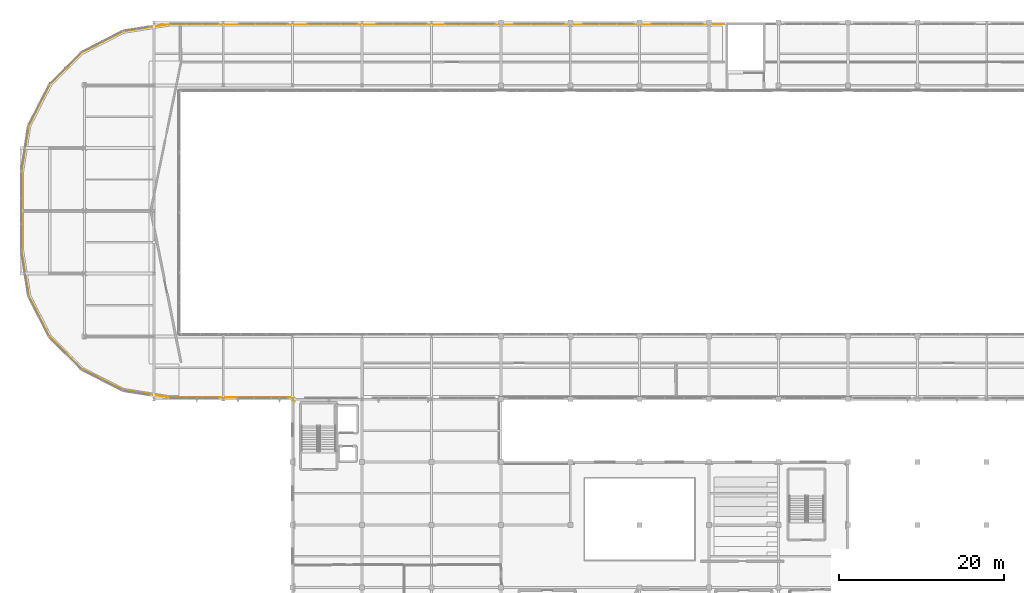
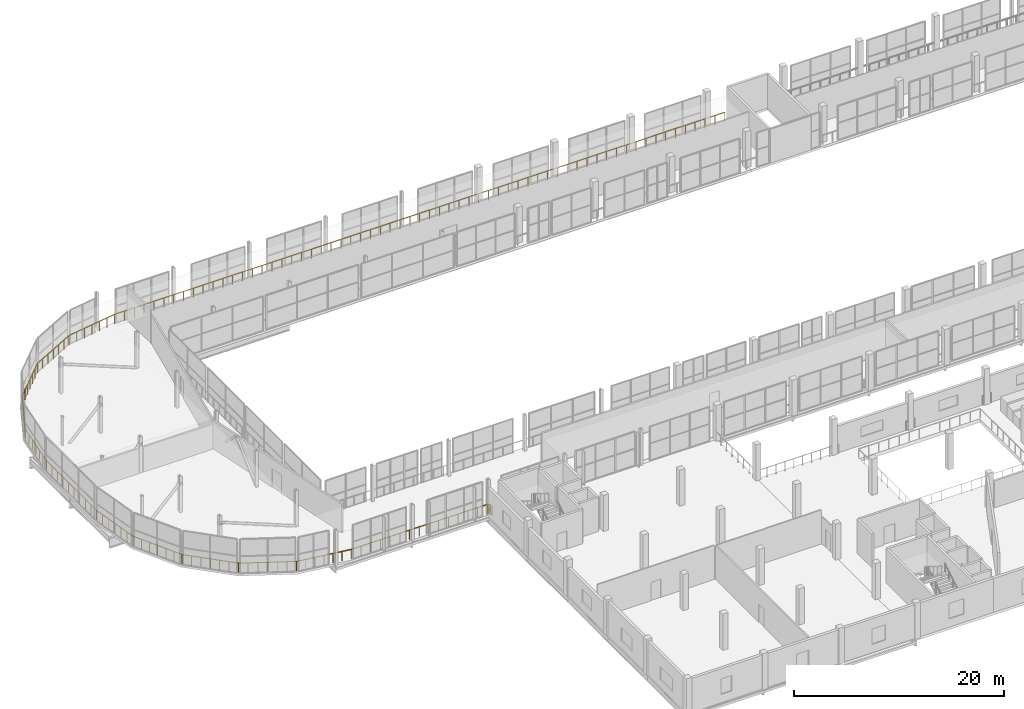
# One storey, part 141 of 151: 1 railing.
"""IFC4 building model written with IfcOpenShell, lengths in metres."""

import ifcopenshell
import ifcopenshell.guid

model = None  # the IFC model being written
_history = None  # IfcOwnerHistory: only IFC2X3 demands one
_inside = {}  # id of a spatial element -> (the spatial element, [elements in it])
_under = {}  # id of a project, library or spatial element -> (it, [spatial elements below it])
_declared = {}  # id of a project -> (the project, [libraries it declares])
_typed = {}  # id of a type object -> (the type object, [elements of that type])
_made_of = {}  # id of a material, layer set ... -> (it, [elements and type objects made of it])


def new_model(schema):
    """Start an empty IFC model of exactly this schema.

    Asked for "IFC4X3", IfcOpenShell would pick the latest addendum, in which some entities
    have other attributes; the version numbers below select the first issue.
    IFC2X3 requires an IfcOwnerHistory on every rooted entity: one is made here for all.
    """
    global model, _history
    if schema == "IFC4X3":
        model = ifcopenshell.file(schema_version=(4, 3, 0, 0))
    else:
        model = ifcopenshell.file(schema=schema)
    _inside.clear()
    _under.clear()
    _declared.clear()
    _typed.clear()
    _made_of.clear()
    _history = None
    if model.schema == "IFC2X3":
        org = make("IfcOrganization", Name="unknown")
        user = make(
            "IfcPersonAndOrganization",
            ThePerson=make("IfcPerson", FamilyName="unknown"),
            TheOrganization=org,
        )
        app = make(
            "IfcApplication",
            ApplicationDeveloper=org,
            Version="unknown",
            ApplicationFullName="unknown",
            ApplicationIdentifier="unknown",
        )
        _history = make(
            "IfcOwnerHistory",
            OwningUser=user,
            OwningApplication=app,
            ChangeAction="ADDED",
            CreationDate=0,
        )
    return model


def make(cls, **values):
    """One entity of the class cls with the attributes given. An attribute that is None is left unset."""
    return model.create_entity(
        cls, **{name: value for name, value in values.items() if value is not None}
    )


def rooted(cls, **values):
    """An entity with a GlobalId (a new one), such as an element, a storey or a relation."""
    return make(cls, GlobalId=ifcopenshell.guid.new(), OwnerHistory=_history, **values)


def si_unit(unit_type, name, prefix=None):
    """IfcSIUnit, for example si_unit("LENGTHUNIT", "METRE", prefix="MILLI")."""
    return make("IfcSIUnit", UnitType=unit_type, Prefix=prefix, Name=name)


def assignment(units):
    """IfcUnitAssignment: the units of a project."""
    return None if units is None else make("IfcUnitAssignment", Units=units)


def point(xyz):
    """IfcCartesianPoint."""
    return None if xyz is None else make("IfcCartesianPoint", Coordinates=xyz)


def direction(xyz):
    """IfcDirection."""
    return None if xyz is None else make("IfcDirection", DirectionRatios=xyz)


def frame(location, z_axis=None, x_axis=None):
    """IfcAxis2Placement3D, a coordinate frame: its origin and axes. An axis left out is left unset."""
    return make(
        "IfcAxis2Placement3D",
        Location=point(location),
        Axis=direction(z_axis),
        RefDirection=direction(x_axis),
    )


def frame_2d(location, x_axis=None):
    """IfcAxis2Placement2D, a coordinate frame in the plane: its origin and x axis."""
    return make(
        "IfcAxis2Placement2D", Location=point(location), RefDirection=direction(x_axis)
    )


def origin():
    """The frame at (0, 0, 0) with its axes left unset."""
    return frame((0.0, 0.0, 0.0))


def origin_2d():
    """The frame at (0, 0) in the plane with its x axis left unset."""
    return frame_2d((0.0, 0.0))


def place(relative_to, where):
    """IfcLocalPlacement: puts the frame where relative to a parent placement (None: the world)."""
    return make(
        "IfcLocalPlacement", PlacementRelTo=relative_to, RelativePlacement=where
    )


def context(
    kind, dimensions, precision=None, world=None, true_north=None, identifier=None
):
    """IfcGeometricRepresentationContext, for example the 3D "Model" context."""
    return make(
        "IfcGeometricRepresentationContext",
        ContextIdentifier=identifier,
        ContextType=kind,
        CoordinateSpaceDimension=dimensions,
        Precision=precision,
        WorldCoordinateSystem=world,
        TrueNorth=true_north,
    )


def subcontext(parent, identifier, kind, view, scale=None):
    """IfcGeometricRepresentationSubContext, for example "Body" below "Model"."""
    return make(
        "IfcGeometricRepresentationSubContext",
        ContextIdentifier=identifier,
        ContextType=kind,
        ParentContext=parent,
        TargetScale=scale,
        TargetView=view,
    )


def project(units=None, contexts=None):
    """IfcProject with its units and contexts."""
    return rooted(
        "IfcProject",
        Name="project",
        RepresentationContexts=contexts,
        UnitsInContext=assignment(units),
    )


def spatial(cls, under=None, at=None, **own):
    """A site, building, storey or space (cls), placed at a placement, below another one or the project."""
    s = rooted(cls, ObjectPlacement=at, **own)
    if under is not None:
        _under.setdefault(under.id(), (under, []))[1].append(s)
    return s


def profile(cls, at=None, kind="AREA", **sizes):
    """A parametric profile (cls). Its sizes go by their IFC names, for example OverallWidth=200.0."""
    return make(cls, ProfileType=kind, Position=at, **sizes)


def circle(**sizes):
    """IfcCircleProfileDef."""
    return profile("IfcCircleProfileDef", **sizes)


def extrude(swept, where, along, depth):
    """IfcExtrudedAreaSolid: the profile swept, set in the frame where, extruded along a direction by depth."""
    return make(
        "IfcExtrudedAreaSolid",
        SweptArea=swept,
        Position=where,
        ExtrudedDirection=direction(along),
        Depth=depth,
    )


def shape(context_of_items, identifier, shape_type, items):
    """IfcShapeRepresentation: the items that make up one representation, for example the "Body"."""
    return make(
        "IfcShapeRepresentation",
        ContextOfItems=context_of_items,
        RepresentationIdentifier=identifier,
        RepresentationType=shape_type,
        Items=items,
    )


def material(Name=None, Category=None):
    """IfcMaterial."""
    return make("IfcMaterial", Name=Name, Category=Category)


def made_of(thing, what):
    """Note that an element or type object is made of a material, layer set ...; save() writes the relation."""
    if what is not None:
        _made_of.setdefault(what.id(), (what, []))[1].append(thing)
    return thing


def type_object(cls, material=None, **own):
    """A type object (cls), such as IfcWallType, which elements share."""
    return made_of(rooted(cls, **own), material)


def element(
    cls,
    number,
    at=None,
    inside=None,
    cuts=None,
    type_object=None,
    material=None,
    context=None,
    identifier="Body",
    shape_type=None,
    held_by="IfcProductDefinitionShape",
    body=None,
    shapes=None,
    **own,
):
    """One element of the class cls, such as IfcWall. Its Tag is "e" and its number.

    at: its placement. inside: the storey or other place that contains it. cuts: it is an
    opening in that element (IfcRelVoidsElement). A single representation is given by context,
    identifier, shape_type and body (its items); several are given by shapes. held_by: the class
    of the entity that holds the representations. save() writes the other relations.
    """
    e = rooted(cls, Tag="e%d" % number, ObjectPlacement=at, **own)
    if body is not None:
        shapes = [shape(context, identifier, shape_type, body)]
    if shapes is not None:
        e.Representation = make(held_by, Representations=shapes)
    if inside is not None:
        _inside.setdefault(inside.id(), (inside, []))[1].append(e)
    if cuts is not None:
        rooted(
            "IfcRelVoidsElement", RelatingBuildingElement=cuts, RelatedOpeningElement=e
        )
    if type_object is not None:
        _typed.setdefault(type_object.id(), (type_object, []))[1].append(e)
    return made_of(e, material)


def aggregate(whole, parts):
    """IfcRelAggregates: a whole, such as a stair, and the parts it consists of."""
    return rooted("IfcRelAggregates", RelatingObject=whole, RelatedObjects=parts)


def save(model, path):
    """Write the relations noted so far, then the file.

    IfcRelAggregates (storeys below a building ...), IfcRelContainedInSpatialStructure (elements
    in a storey), IfcRelDefinesByType, IfcRelAssociatesMaterial and IfcRelDeclares: one each for
    every whole, place, type object, material and project.
    """
    for whole, parts in _under.values():
        aggregate(whole, parts)
    for where, things in _inside.values():
        rooted(
            "IfcRelContainedInSpatialStructure",
            RelatedElements=things,
            RelatingStructure=where,
        )
    for kind, things in _typed.values():
        rooted("IfcRelDefinesByType", RelatedObjects=things, RelatingType=kind)
    for what, things in _made_of.values():
        rooted("IfcRelAssociatesMaterial", RelatedObjects=things, RelatingMaterial=what)
    for by, libraries in _declared.values():
        rooted("IfcRelDeclares", RelatingContext=by, RelatedDefinitions=libraries)
    model.write(path)


model = new_model("IFC4")

# Units and contexts
model_context = context("Model", 3, precision=1e-05, world=origin(), true_north=direction((0.0, 1.0)))
body_context = subcontext(model_context, "Body", "Model", "MODEL_VIEW")
ifc_project = project(units=[si_unit("LENGTHUNIT", "METRE"), si_unit("AREAUNIT", "SQUARE_METRE"), si_unit("VOLUMEUNIT", "CUBIC_METRE"), si_unit("PLANEANGLEUNIT", "RADIAN"), si_unit("MASSUNIT", "GRAM", prefix="KILO")], contexts=[model_context])

# Site, building, storey
site_placement = place(None, origin())
site = spatial("IfcSite", under=ifc_project, at=site_placement, CompositionType="ELEMENT")
building_placement = place(site_placement, origin())
building = spatial("IfcBuilding", under=site, at=building_placement, Name="Zuvorla Pavilion Media Centre", CompositionType="ELEMENT")
storey_placement = place(building_placement, frame((0.0, 0.0, 13.800048828125)))
storey = spatial("IfcBuildingStorey", under=building, at=storey_placement, Name="L03", CompositionType="ELEMENT", Elevation=13.800048828125)

# Railing
ifc_material = material(Name="Powder-coated steel balustrade guard", Category="steel")
railing_type = type_object("IfcRailingType", Name="RL-INT-GRD", PredefinedType="BALUSTRADE", material=ifc_material)
railing_placement = place(storey_placement, frame((41.820068359375, 43.69970703125, 0.0)))
element("IfcRailing", 1, at=railing_placement, inside=storey, type_object=railing_type, Name="L03 slab edge guard 112", PredefinedType="BALUSTRADE", context=body_context, shape_type="SweptSolid", body=[
    extrude(circle(Radius=0.02392578125, at=origin_2d()), frame((0.0, 0.02880859375, 1.09619140625), z_axis=(0.0, 1.0, 0.0), x_axis=(-1.0, 0.0, 0.0)), (0.0, 0.0, 1.0), 0.24267578125),
    extrude(circle(Radius=0.02392578125, at=origin_2d()), frame((-0.000244140625, 0.303466796875, 1.09619140625), z_axis=(-0.056726690049, 0.998389744857, 0.0), x_axis=(-0.998389744857, -0.056726690049, 0.0)), (0.0, 0.0, 1.0), 0.02001953125),
    extrude(circle(Radius=0.02392578125, at=origin_2d()), frame((-0.001708984375, 0.324951171875, 1.09619140625), z_axis=(-0.135113204733, 0.990830168044, 0.0), x_axis=(-0.990830168044, -0.135113204733, 0.0)), (0.0, 0.0, 1.0), 0.02001953125),
    extrude(circle(Radius=0.02392578125, at=origin_2d()), frame((-0.0048828125, 0.346435546875, 1.09619140625), z_axis=(-0.247833249983, 0.968802704478, 0.0), x_axis=(-0.968802704478, -0.247833249983, 0.0)), (0.0, 0.0, 1.0), 0.02001953125),
    extrude(circle(Radius=0.02392578125, at=origin_2d()), frame((-0.0107421875, 0.3671875, 1.09619140625), z_axis=(-0.339922884022, 0.940453312461, 0.0), x_axis=(-0.940453312461, -0.339922884022, 0.0)), (0.0, 0.0, 1.0), 0.02001953125),
    extrude(circle(Radius=0.02392578125, at=origin_2d()), frame((-0.018310546875, 0.387451171875, 1.09619140625), z_axis=(-0.429056814568, 0.903277504354, 0.0), x_axis=(-0.903277504354, -0.429056814568, 0.0)), (0.0, 0.0, 1.0), 0.02001953125),
    extrude(circle(Radius=0.02392578125, at=origin_2d()), frame((-0.02783203125, 0.40673828125, 1.09619140625), z_axis=(-0.509492006668, 0.860475389039, 0.0), x_axis=(-0.860475389039, -0.509492006668, 0.0)), (0.0, 0.0, 1.0), 0.02001953125),
    extrude(circle(Radius=0.02392578125, at=origin_2d()), frame((-0.0390625, 0.42529296875, 1.09619140625), z_axis=(-0.598192606862, 0.801352360136, 0.0), x_axis=(-0.801352360136, -0.598192606862, 0.0)), (0.0, 0.0, 1.0), 0.02001953125),
    extrude(circle(Radius=0.02392578125, at=origin_2d()), frame((-0.05224609375, 0.4423828125, 1.09619140625), z_axis=(-0.672105592782, 0.740455314082, 0.0), x_axis=(-0.740455314082, -0.672105592782, 0.0)), (0.0, 0.0, 1.0), 0.02001953125),
    extrude(circle(Radius=0.02392578125, at=origin_2d()), frame((-0.06689453125, 0.4580078125, 1.09619140625), z_axis=(-0.739940073396, 0.672672793996, 0.0), x_axis=(-0.672672793996, -0.739940073396, 0.0)), (0.0, 0.0, 1.0), 0.02001953125),
    extrude(circle(Radius=0.02392578125, at=origin_2d()), frame((-0.083251953125, 0.472412109375, 1.09619140625), z_axis=(-0.806766093747, 0.590870941899, 0.0), x_axis=(-0.590870941899, -0.806766093747, 0.0)), (0.0, 0.0, 1.0), 0.02001953125),
    extrude(circle(Radius=0.02392578125, at=origin_2d()), frame((-0.1005859375, 0.48486328125, 1.09619140625), z_axis=(-0.855500079018, 0.517802679406, 0.0), x_axis=(-0.517802679406, -0.855500079018, 0.0)), (0.0, 0.0, 1.0), 0.02001953125),
    extrude(circle(Radius=0.02392578125, at=origin_2d()), frame((-0.119384765625, 0.495849609375, 1.09619140625), z_axis=(-0.903277504354, 0.429056814568, 0.0), x_axis=(-0.429056814568, -0.903277504354, 0.0)), (0.0, 0.0, 1.0), 0.02001953125),
    extrude(circle(Radius=0.02392578125, at=origin_2d()), frame((-0.138916015625, 0.504638671875, 1.09619140625), z_axis=(-0.94403554212, 0.329843743632, 0.0), x_axis=(-0.329843743632, -0.94403554212, 0.0)), (0.0, 0.0, 1.0), 0.02001953125),
    extrude(circle(Radius=0.02392578125, at=origin_2d()), frame((-0.159423828125, 0.511474609375, 1.09619140625), z_axis=(-0.968802704478, 0.247833249983, 0.0), x_axis=(-0.247833249983, -0.968802704478, 0.0)), (0.0, 0.0, 1.0), 0.02001953125),
    extrude(circle(Radius=0.02392578125, at=origin_2d()), frame((-0.180419921875, 0.5166015625, 1.09619140625), z_axis=(-0.989019580795, 0.147784535061, 0.0), x_axis=(-0.147784535061, -0.989019580795, 0.0)), (0.0, 0.0, 1.0), 0.02001953125),
    extrude(circle(Radius=0.02392578125, at=origin_2d()), frame((-0.20166015625, 0.51953125, 1.09619140625), z_axis=(-0.99896854021, 0.045407660919, 0.0), x_axis=(-0.045407660919, -0.99896854021, 0.0)), (0.0, 0.0, 1.0), 0.02001953125),
    extrude(circle(Radius=0.02392578125, at=origin_2d()), frame((-0.248779296875, 0.520263671875, 1.09619140625), z_axis=(-1.0, 0.0, 0.0), x_axis=(0.0, -1.0, 0.0)), (0.0, 0.0, 1.0), 14.92529296875),
    extrude(circle(Radius=0.02392578125, at=origin_2d()), frame((-15.2314453125, 0.524658203125, 1.09619140625), z_axis=(-0.987688702887, 0.156432177602, 0.0), x_axis=(-0.156432177602, -0.987688702887, 0.0)), (0.0, 0.0, 1.0), 5.521728515625),
    extrude(circle(Radius=0.02392578125, at=origin_2d()), frame((-20.7392578125, 1.40625, 1.09619140625), z_axis=(-0.890994939299, 0.454013235647, 0.0), x_axis=(-0.454013235647, -0.890994939299, 0.0)), (0.0, 0.0, 1.0), 5.504150390625),
    extrude(circle(Radius=0.02392578125, at=origin_2d()), frame((-25.689697265625, 3.938720703125, 1.09619140625), z_axis=(-0.707106781187, 0.707106781187, 0.0), x_axis=(-0.707106781187, -0.707106781187, 0.0)), (0.0, 0.0, 1.0), 5.504150390625),
    extrude(circle(Radius=0.02392578125, at=origin_2d()), frame((-29.615234375, 7.876708984375, 1.09619140625), z_axis=(-0.453995479409, 0.891003986902, 0.0), x_axis=(-0.891003986902, -0.453995479409, 0.0)), (0.0, 0.0, 1.0), 5.50439453125),
    extrude(circle(Radius=0.02392578125, at=origin_2d()), frame((-32.131591796875, 12.83544921875, 1.09619140625), z_axis=(-0.156432177602, 0.987688702887, 0.0), x_axis=(-0.987688702887, -0.156432177602, 0.0)), (0.0, 0.0, 1.0), 5.521728515625),
    extrude(circle(Radius=0.02392578125, at=origin_2d()), frame((-33.0, 18.346435546875, 1.09619140625), z_axis=(0.0, 1.0, 0.0), x_axis=(-1.0, 0.0, 0.0)), (0.0, 0.0, 1.0), 9.5078125),
    extrude(circle(Radius=0.02392578125, at=origin_2d()), frame((-32.99560546875, 27.91162109375, 1.09619140625), z_axis=(0.156432177602, 0.987688702887, 0.0), x_axis=(-0.987688702887, 0.156432177602, 0.0)), (0.0, 0.0, 1.0), 5.521728515625),
    extrude(circle(Radius=0.02392578125, at=origin_2d()), frame((-32.114013671875, 33.41943359375, 1.09619140625), z_axis=(0.453995479409, 0.891003986902, 0.0), x_axis=(-0.891003986902, 0.453995479409, 0.0)), (0.0, 0.0, 1.0), 5.50439453125),
    extrude(circle(Radius=0.02392578125, at=origin_2d()), frame((-29.58154296875, 38.3701171875, 1.09619140625), z_axis=(0.707106781187, 0.707106781187, 0.0), x_axis=(-0.707106781187, 0.707106781187, 0.0)), (0.0, 0.0, 1.0), 5.504150390625),
    extrude(circle(Radius=0.02392578125, at=origin_2d()), frame((-25.6435546875, 42.295654296875, 1.09619140625), z_axis=(0.891012695814, 0.453978387039, 0.0), x_axis=(-0.453978387039, 0.891012695814, 0.0)), (0.0, 0.0, 1.0), 5.50390625),
    extrude(circle(Radius=0.02392578125, at=origin_2d()), frame((-20.68505859375, 44.811767578125, 1.09619140625), z_axis=(0.987688702887, 0.156432177602, 0.0), x_axis=(-0.156432177602, 0.987688702887, 0.0)), (0.0, 0.0, 1.0), 5.521728515625),
    extrude(circle(Radius=0.02392578125, at=origin_2d()), frame((-15.174072265625, 45.68017578125, 1.09619140625), z_axis=(1.0, 0.0, 0.0), x_axis=(0.0, 1.0, 0.0)), (0.0, 0.0, 1.0), 67.165283203125),
    extrude(circle(Radius=0.02099609375, at=origin_2d()), origin(), (0.0, 0.0, 1.0), 1.070068359375),
    extrude(circle(Radius=0.02099609375, at=origin_2d()), frame((0.0, 0.30029296875, 0.0)), (0.0, 0.0, 1.0), 1.070068359375),
    extrude(circle(Radius=0.02099609375, at=origin_2d()), frame((-0.001220703125, 0.32177734375, 0.0)), (0.0, 0.0, 1.0), 1.070068359375),
    extrude(circle(Radius=0.02099609375, at=origin_2d()), frame((-0.004150390625, 0.34326171875, 0.0)), (0.0, 0.0, 1.0), 1.070068359375),
    extrude(circle(Radius=0.02099609375, at=origin_2d()), frame((-0.009521484375, 0.3642578125, 0.0)), (0.0, 0.0, 1.0), 1.070068359375),
    extrude(circle(Radius=0.02099609375, at=origin_2d()), frame((-0.016845703125, 0.384521484375, 0.0)), (0.0, 0.0, 1.0), 1.070068359375),
    extrude(circle(Radius=0.02099609375, at=origin_2d()), frame((-0.026123046875, 0.404052734375, 0.0)), (0.0, 0.0, 1.0), 1.070068359375),
    extrude(circle(Radius=0.02099609375, at=origin_2d()), frame((-0.037109375, 0.422607421875, 0.0)), (0.0, 0.0, 1.0), 1.070068359375),
    extrude(circle(Radius=0.02099609375, at=origin_2d()), frame((-0.050048828125, 0.43994140625, 0.0)), (0.0, 0.0, 1.0), 1.070068359375),
    extrude(circle(Radius=0.02099609375, at=origin_2d()), frame((-0.064453125, 0.455810546875, 0.0)), (0.0, 0.0, 1.0), 1.070068359375),
    extrude(circle(Radius=0.02099609375, at=origin_2d()), frame((-0.08056640625, 0.470458984375, 0.0)), (0.0, 0.0, 1.0), 1.070068359375),
    extrude(circle(Radius=0.02099609375, at=origin_2d()), frame((-0.097900390625, 0.483154296875, 0.0)), (0.0, 0.0, 1.0), 1.070068359375),
    extrude(circle(Radius=0.02099609375, at=origin_2d()), frame((-0.116455078125, 0.494384765625, 0.0)), (0.0, 0.0, 1.0), 1.070068359375),
    extrude(circle(Radius=0.02099609375, at=origin_2d()), frame((-0.135986328125, 0.503662109375, 0.0)), (0.0, 0.0, 1.0), 1.070068359375),
    extrude(circle(Radius=0.02099609375, at=origin_2d()), frame((-0.15625, 0.5107421875, 0.0)), (0.0, 0.0, 1.0), 1.070068359375),
    extrude(circle(Radius=0.02099609375, at=origin_2d()), frame((-0.17724609375, 0.51611328125, 0.0)), (0.0, 0.0, 1.0), 1.070068359375),
    extrude(circle(Radius=0.02099609375, at=origin_2d()), frame((-0.198486328125, 0.519287109375, 0.0)), (0.0, 0.0, 1.0), 1.070068359375),
    extrude(circle(Radius=0.02099609375, at=origin_2d()), frame((-0.219970703125, 0.520263671875, 0.0)), (0.0, 0.0, 1.0), 1.070068359375),
    extrude(circle(Radius=0.02099609375, at=origin_2d()), frame((-1.290283203125, 0.520263671875, 0.0)), (0.0, 0.0, 1.0), 1.070068359375),
    extrude(circle(Radius=0.02099609375, at=origin_2d()), frame((-2.3603515625, 0.520263671875, 0.0)), (0.0, 0.0, 1.0), 1.070068359375),
    extrude(circle(Radius=0.02099609375, at=origin_2d()), frame((-3.4306640625, 0.520263671875, 0.0)), (0.0, 0.0, 1.0), 1.070068359375),
    extrude(circle(Radius=0.02099609375, at=origin_2d()), frame((-4.500732421875, 0.520263671875, 0.0)), (0.0, 0.0, 1.0), 1.070068359375),
    extrude(circle(Radius=0.02099609375, at=origin_2d()), frame((-5.571044921875, 0.520263671875, 0.0)), (0.0, 0.0, 1.0), 1.070068359375),
    extrude(circle(Radius=0.02099609375, at=origin_2d()), frame((-6.64111328125, 0.520263671875, 0.0)), (0.0, 0.0, 1.0), 1.070068359375),
    extrude(circle(Radius=0.02099609375, at=origin_2d()), frame((-7.71142578125, 0.520263671875, 0.0)), (0.0, 0.0, 1.0), 1.070068359375),
    extrude(circle(Radius=0.02099609375, at=origin_2d()), frame((-8.78173828125, 0.520263671875, 0.0)), (0.0, 0.0, 1.0), 1.070068359375),
    extrude(circle(Radius=0.02099609375, at=origin_2d()), frame((-9.851806640625, 0.520263671875, 0.0)), (0.0, 0.0, 1.0), 1.070068359375),
    extrude(circle(Radius=0.02099609375, at=origin_2d()), frame((-10.922119140625, 0.520263671875, 0.0)), (0.0, 0.0, 1.0), 1.070068359375),
    extrude(circle(Radius=0.02099609375, at=origin_2d()), frame((-11.9921875, 0.520263671875, 0.0)), (0.0, 0.0, 1.0), 1.070068359375),
    extrude(circle(Radius=0.02099609375, at=origin_2d()), frame((-13.0625, 0.520263671875, 0.0)), (0.0, 0.0, 1.0), 1.070068359375),
    extrude(circle(Radius=0.02099609375, at=origin_2d()), frame((-14.132568359375, 0.520263671875, 0.0)), (0.0, 0.0, 1.0), 1.070068359375),
    extrude(circle(Radius=0.02099609375, at=origin_2d()), frame((-15.202880859375, 0.520263671875, 0.0)), (0.0, 0.0, 1.0), 1.070068359375),
    extrude(circle(Radius=0.02099609375, at=origin_2d()), frame((-16.121337890625, 0.665771484375, 0.0)), (0.0, 0.0, 1.0), 1.070068359375),
    extrude(circle(Radius=0.02099609375, at=origin_2d()), frame((-17.039794921875, 0.811279296875, 0.0)), (0.0, 0.0, 1.0), 1.070068359375),
    extrude(circle(Radius=0.02099609375, at=origin_2d()), frame((-17.958251953125, 0.95654296875, 0.0)), (0.0, 0.0, 1.0), 1.070068359375),
    extrude(circle(Radius=0.02099609375, at=origin_2d()), frame((-18.876708984375, 1.10205078125, 0.0)), (0.0, 0.0, 1.0), 1.070068359375),
    extrude(circle(Radius=0.02099609375, at=origin_2d()), frame((-19.795166015625, 1.24755859375, 0.0)), (0.0, 0.0, 1.0), 1.070068359375),
    extrude(circle(Radius=0.02099609375, at=origin_2d()), frame((-20.713623046875, 1.39306640625, 0.0)), (0.0, 0.0, 1.0), 1.070068359375),
    extrude(circle(Radius=0.02099609375, at=origin_2d()), frame((-21.53955078125, 1.81396484375, 0.0)), (0.0, 0.0, 1.0), 1.070068359375),
    extrude(circle(Radius=0.02099609375, at=origin_2d()), frame((-22.365478515625, 2.23486328125, 0.0)), (0.0, 0.0, 1.0), 1.070068359375),
    extrude(circle(Radius=0.02099609375, at=origin_2d()), frame((-23.19140625, 2.65576171875, 0.0)), (0.0, 0.0, 1.0), 1.070068359375),
    extrude(circle(Radius=0.02099609375, at=origin_2d()), frame((-24.017333984375, 3.076416015625, 0.0)), (0.0, 0.0, 1.0), 1.070068359375),
    extrude(circle(Radius=0.02099609375, at=origin_2d()), frame((-24.84326171875, 3.497314453125, 0.0)), (0.0, 0.0, 1.0), 1.070068359375),
    extrude(circle(Radius=0.02099609375, at=origin_2d()), frame((-25.669189453125, 3.918212890625, 0.0)), (0.0, 0.0, 1.0), 1.070068359375),
    extrude(circle(Radius=0.02099609375, at=origin_2d()), frame((-26.32470703125, 4.57373046875, 0.0)), (0.0, 0.0, 1.0), 1.070068359375),
    extrude(circle(Radius=0.02099609375, at=origin_2d()), frame((-26.980224609375, 5.229248046875, 0.0)), (0.0, 0.0, 1.0), 1.070068359375),
    extrude(circle(Radius=0.02099609375, at=origin_2d()), frame((-27.6357421875, 5.884765625, 0.0)), (0.0, 0.0, 1.0), 1.070068359375),
    extrude(circle(Radius=0.02099609375, at=origin_2d()), frame((-28.291015625, 6.5400390625, 0.0)), (0.0, 0.0, 1.0), 1.070068359375),
    extrude(circle(Radius=0.02099609375, at=origin_2d()), frame((-28.946533203125, 7.195556640625, 0.0)), (0.0, 0.0, 1.0), 1.070068359375),
    extrude(circle(Radius=0.02099609375, at=origin_2d()), frame((-29.60205078125, 7.85107421875, 0.0)), (0.0, 0.0, 1.0), 1.070068359375),
    extrude(circle(Radius=0.02099609375, at=origin_2d()), frame((-30.02294921875, 8.677001953125, 0.0)), (0.0, 0.0, 1.0), 1.070068359375),
    extrude(circle(Radius=0.02099609375, at=origin_2d()), frame((-30.44384765625, 9.5029296875, 0.0)), (0.0, 0.0, 1.0), 1.070068359375),
    extrude(circle(Radius=0.02099609375, at=origin_2d()), frame((-30.86474609375, 10.3291015625, 0.0)), (0.0, 0.0, 1.0), 1.070068359375),
    extrude(circle(Radius=0.02099609375, at=origin_2d()), frame((-31.285400390625, 11.155029296875, 0.0)), (0.0, 0.0, 1.0), 1.070068359375),
    extrude(circle(Radius=0.02099609375, at=origin_2d()), frame((-31.706298828125, 11.98095703125, 0.0)), (0.0, 0.0, 1.0), 1.070068359375),
    extrude(circle(Radius=0.02099609375, at=origin_2d()), frame((-32.127197265625, 12.806884765625, 0.0)), (0.0, 0.0, 1.0), 1.070068359375),
    extrude(circle(Radius=0.02099609375, at=origin_2d()), frame((-32.272705078125, 13.725341796875, 0.0)), (0.0, 0.0, 1.0), 1.070068359375),
    extrude(circle(Radius=0.02099609375, at=origin_2d()), frame((-32.418212890625, 14.643798828125, 0.0)), (0.0, 0.0, 1.0), 1.070068359375),
    extrude(circle(Radius=0.02099609375, at=origin_2d()), frame((-32.5634765625, 15.562255859375, 0.0)), (0.0, 0.0, 1.0), 1.070068359375),
    extrude(circle(Radius=0.02099609375, at=origin_2d()), frame((-32.708984375, 16.480712890625, 0.0)), (0.0, 0.0, 1.0), 1.070068359375),
    extrude(circle(Radius=0.02099609375, at=origin_2d()), frame((-32.8544921875, 17.399169921875, 0.0)), (0.0, 0.0, 1.0), 1.070068359375),
    extrude(circle(Radius=0.02099609375, at=origin_2d()), frame((-33.0, 18.317626953125, 0.0)), (0.0, 0.0, 1.0), 1.070068359375),
    extrude(circle(Radius=0.02099609375, at=origin_2d()), frame((-33.0, 19.38037109375, 0.0)), (0.0, 0.0, 1.0), 1.070068359375),
    extrude(circle(Radius=0.02099609375, at=origin_2d()), frame((-33.0, 20.443359375, 0.0)), (0.0, 0.0, 1.0), 1.070068359375),
    extrude(circle(Radius=0.02099609375, at=origin_2d()), frame((-33.0, 21.506103515625, 0.0)), (0.0, 0.0, 1.0), 1.070068359375),
    extrude(circle(Radius=0.02099609375, at=origin_2d()), frame((-33.0, 22.56884765625, 0.0)), (0.0, 0.0, 1.0), 1.070068359375),
    extrude(circle(Radius=0.02099609375, at=origin_2d()), frame((-33.0, 23.6318359375, 0.0)), (0.0, 0.0, 1.0), 1.070068359375),
    extrude(circle(Radius=0.02099609375, at=origin_2d()), frame((-33.0, 24.694580078125, 0.0)), (0.0, 0.0, 1.0), 1.070068359375),
    extrude(circle(Radius=0.02099609375, at=origin_2d()), frame((-33.0, 25.75732421875, 0.0)), (0.0, 0.0, 1.0), 1.070068359375),
    extrude(circle(Radius=0.02099609375, at=origin_2d()), frame((-33.0, 26.8203125, 0.0)), (0.0, 0.0, 1.0), 1.070068359375),
    extrude(circle(Radius=0.02099609375, at=origin_2d()), frame((-33.0, 27.883056640625, 0.0)), (0.0, 0.0, 1.0), 1.070068359375),
    extrude(circle(Radius=0.02099609375, at=origin_2d()), frame((-32.8544921875, 28.801513671875, 0.0)), (0.0, 0.0, 1.0), 1.070068359375),
    extrude(circle(Radius=0.02099609375, at=origin_2d()), frame((-32.708984375, 29.719970703125, 0.0)), (0.0, 0.0, 1.0), 1.070068359375),
    extrude(circle(Radius=0.02099609375, at=origin_2d()), frame((-32.5634765625, 30.638427734375, 0.0)), (0.0, 0.0, 1.0), 1.070068359375),
    extrude(circle(Radius=0.02099609375, at=origin_2d()), frame((-32.418212890625, 31.556884765625, 0.0)), (0.0, 0.0, 1.0), 1.070068359375),
    extrude(circle(Radius=0.02099609375, at=origin_2d()), frame((-32.272705078125, 32.475341796875, 0.0)), (0.0, 0.0, 1.0), 1.070068359375),
    extrude(circle(Radius=0.02099609375, at=origin_2d()), frame((-32.127197265625, 33.393798828125, 0.0)), (0.0, 0.0, 1.0), 1.070068359375),
    extrude(circle(Radius=0.02099609375, at=origin_2d()), frame((-31.706298828125, 34.2197265625, 0.0)), (0.0, 0.0, 1.0), 1.070068359375),
    extrude(circle(Radius=0.02099609375, at=origin_2d()), frame((-31.285400390625, 35.045654296875, 0.0)), (0.0, 0.0, 1.0), 1.070068359375),
    extrude(circle(Radius=0.02099609375, at=origin_2d()), frame((-30.86474609375, 35.87158203125, 0.0)), (0.0, 0.0, 1.0), 1.070068359375),
    extrude(circle(Radius=0.02099609375, at=origin_2d()), frame((-30.44384765625, 36.69775390625, 0.0)), (0.0, 0.0, 1.0), 1.070068359375),
    extrude(circle(Radius=0.02099609375, at=origin_2d()), frame((-30.02294921875, 37.523681640625, 0.0)), (0.0, 0.0, 1.0), 1.070068359375),
    extrude(circle(Radius=0.02099609375, at=origin_2d()), frame((-29.60205078125, 38.349609375, 0.0)), (0.0, 0.0, 1.0), 1.070068359375),
    extrude(circle(Radius=0.02099609375, at=origin_2d()), frame((-28.946533203125, 39.005126953125, 0.0)), (0.0, 0.0, 1.0), 1.070068359375),
    extrude(circle(Radius=0.02099609375, at=origin_2d()), frame((-28.291015625, 39.66064453125, 0.0)), (0.0, 0.0, 1.0), 1.070068359375),
    extrude(circle(Radius=0.02099609375, at=origin_2d()), frame((-27.6357421875, 40.31591796875, 0.0)), (0.0, 0.0, 1.0), 1.070068359375),
    extrude(circle(Radius=0.02099609375, at=origin_2d()), frame((-26.980224609375, 40.971435546875, 0.0)), (0.0, 0.0, 1.0), 1.070068359375),
    extrude(circle(Radius=0.02099609375, at=origin_2d()), frame((-26.32470703125, 41.626953125, 0.0)), (0.0, 0.0, 1.0), 1.070068359375),
    extrude(circle(Radius=0.02099609375, at=origin_2d()), frame((-25.669189453125, 42.282470703125, 0.0)), (0.0, 0.0, 1.0), 1.070068359375),
    extrude(circle(Radius=0.02099609375, at=origin_2d()), frame((-24.84326171875, 42.703369140625, 0.0)), (0.0, 0.0, 1.0), 1.070068359375),
    extrude(circle(Radius=0.02099609375, at=origin_2d()), frame((-24.017333984375, 43.1240234375, 0.0)), (0.0, 0.0, 1.0), 1.070068359375),
    extrude(circle(Radius=0.02099609375, at=origin_2d()), frame((-23.19140625, 43.544921875, 0.0)), (0.0, 0.0, 1.0), 1.070068359375),
    extrude(circle(Radius=0.02099609375, at=origin_2d()), frame((-22.365478515625, 43.9658203125, 0.0)), (0.0, 0.0, 1.0), 1.070068359375),
    extrude(circle(Radius=0.02099609375, at=origin_2d()), frame((-21.53955078125, 44.386474609375, 0.0)), (0.0, 0.0, 1.0), 1.070068359375),
    extrude(circle(Radius=0.02099609375, at=origin_2d()), frame((-20.713623046875, 44.807373046875, 0.0)), (0.0, 0.0, 1.0), 1.070068359375),
    extrude(circle(Radius=0.02099609375, at=origin_2d()), frame((-19.795166015625, 44.952880859375, 0.0)), (0.0, 0.0, 1.0), 1.070068359375),
    extrude(circle(Radius=0.02099609375, at=origin_2d()), frame((-18.876708984375, 45.098388671875, 0.0)), (0.0, 0.0, 1.0), 1.070068359375),
    extrude(circle(Radius=0.02099609375, at=origin_2d()), frame((-17.958251953125, 45.24365234375, 0.0)), (0.0, 0.0, 1.0), 1.070068359375),
    extrude(circle(Radius=0.02099609375, at=origin_2d()), frame((-17.039794921875, 45.38916015625, 0.0)), (0.0, 0.0, 1.0), 1.070068359375),
    extrude(circle(Radius=0.02099609375, at=origin_2d()), frame((-16.121337890625, 45.53466796875, 0.0)), (0.0, 0.0, 1.0), 1.070068359375),
    extrude(circle(Radius=0.02099609375, at=origin_2d()), frame((-15.202880859375, 45.68017578125, 0.0)), (0.0, 0.0, 1.0), 1.070068359375),
    extrude(circle(Radius=0.02099609375, at=origin_2d()), frame((-14.11865234375, 45.68017578125, 0.0)), (0.0, 0.0, 1.0), 1.070068359375),
    extrude(circle(Radius=0.02099609375, at=origin_2d()), frame((-13.034423828125, 45.68017578125, 0.0)), (0.0, 0.0, 1.0), 1.070068359375),
    extrude(circle(Radius=0.02099609375, at=origin_2d()), frame((-11.9501953125, 45.68017578125, 0.0)), (0.0, 0.0, 1.0), 1.070068359375),
    extrude(circle(Radius=0.02099609375, at=origin_2d()), frame((-10.865966796875, 45.68017578125, 0.0)), (0.0, 0.0, 1.0), 1.070068359375),
    extrude(circle(Radius=0.02099609375, at=origin_2d()), frame((-9.78173828125, 45.68017578125, 0.0)), (0.0, 0.0, 1.0), 1.070068359375),
    extrude(circle(Radius=0.02099609375, at=origin_2d()), frame((-8.697509765625, 45.68017578125, 0.0)), (0.0, 0.0, 1.0), 1.070068359375),
    extrude(circle(Radius=0.02099609375, at=origin_2d()), frame((-7.61328125, 45.68017578125, 0.0)), (0.0, 0.0, 1.0), 1.070068359375),
    extrude(circle(Radius=0.02099609375, at=origin_2d()), frame((-6.529052734375, 45.68017578125, 0.0)), (0.0, 0.0, 1.0), 1.070068359375),
    extrude(circle(Radius=0.02099609375, at=origin_2d()), frame((-5.44482421875, 45.68017578125, 0.0)), (0.0, 0.0, 1.0), 1.070068359375),
    extrude(circle(Radius=0.02099609375, at=origin_2d()), frame((-4.360595703125, 45.68017578125, 0.0)), (0.0, 0.0, 1.0), 1.070068359375),
    extrude(circle(Radius=0.02099609375, at=origin_2d()), frame((-3.276123046875, 45.68017578125, 0.0)), (0.0, 0.0, 1.0), 1.070068359375),
    extrude(circle(Radius=0.02099609375, at=origin_2d()), frame((-2.19189453125, 45.68017578125, 0.0)), (0.0, 0.0, 1.0), 1.070068359375),
    extrude(circle(Radius=0.02099609375, at=origin_2d()), frame((-1.107666015625, 45.68017578125, 0.0)), (0.0, 0.0, 1.0), 1.070068359375),
    extrude(circle(Radius=0.02099609375, at=origin_2d()), frame((-0.0234375, 45.68017578125, 0.0)), (0.0, 0.0, 1.0), 1.070068359375),
    extrude(circle(Radius=0.02099609375, at=origin_2d()), frame((1.060791015625, 45.68017578125, 0.0)), (0.0, 0.0, 1.0), 1.070068359375),
    extrude(circle(Radius=0.02099609375, at=origin_2d()), frame((2.14501953125, 45.68017578125, 0.0)), (0.0, 0.0, 1.0), 1.070068359375),
    extrude(circle(Radius=0.02099609375, at=origin_2d()), frame((3.229248046875, 45.68017578125, 0.0)), (0.0, 0.0, 1.0), 1.070068359375),
    extrude(circle(Radius=0.02099609375, at=origin_2d()), frame((4.3134765625, 45.68017578125, 0.0)), (0.0, 0.0, 1.0), 1.070068359375),
    extrude(circle(Radius=0.02099609375, at=origin_2d()), frame((5.397705078125, 45.68017578125, 0.0)), (0.0, 0.0, 1.0), 1.070068359375),
    extrude(circle(Radius=0.02099609375, at=origin_2d()), frame((6.48193359375, 45.68017578125, 0.0)), (0.0, 0.0, 1.0), 1.070068359375),
    extrude(circle(Radius=0.02099609375, at=origin_2d()), frame((7.566162109375, 45.68017578125, 0.0)), (0.0, 0.0, 1.0), 1.070068359375),
    extrude(circle(Radius=0.02099609375, at=origin_2d()), frame((8.650390625, 45.68017578125, 0.0)), (0.0, 0.0, 1.0), 1.070068359375),
    extrude(circle(Radius=0.02099609375, at=origin_2d()), frame((9.734619140625, 45.68017578125, 0.0)), (0.0, 0.0, 1.0), 1.070068359375),
    extrude(circle(Radius=0.02099609375, at=origin_2d()), frame((10.81884765625, 45.68017578125, 0.0)), (0.0, 0.0, 1.0), 1.070068359375),
    extrude(circle(Radius=0.02099609375, at=origin_2d()), frame((11.903076171875, 45.68017578125, 0.0)), (0.0, 0.0, 1.0), 1.070068359375),
    extrude(circle(Radius=0.02099609375, at=origin_2d()), frame((12.9873046875, 45.68017578125, 0.0)), (0.0, 0.0, 1.0), 1.070068359375),
    extrude(circle(Radius=0.02099609375, at=origin_2d()), frame((14.071533203125, 45.68017578125, 0.0)), (0.0, 0.0, 1.0), 1.070068359375),
    extrude(circle(Radius=0.02099609375, at=origin_2d()), frame((15.15576171875, 45.68017578125, 0.0)), (0.0, 0.0, 1.0), 1.070068359375),
    extrude(circle(Radius=0.02099609375, at=origin_2d()), frame((16.239990234375, 45.68017578125, 0.0)), (0.0, 0.0, 1.0), 1.070068359375),
    extrude(circle(Radius=0.02099609375, at=origin_2d()), frame((17.32421875, 45.68017578125, 0.0)), (0.0, 0.0, 1.0), 1.070068359375),
    extrude(circle(Radius=0.02099609375, at=origin_2d()), frame((18.40869140625, 45.68017578125, 0.0)), (0.0, 0.0, 1.0), 1.070068359375),
    extrude(circle(Radius=0.02099609375, at=origin_2d()), frame((19.492919921875, 45.68017578125, 0.0)), (0.0, 0.0, 1.0), 1.070068359375),
    extrude(circle(Radius=0.02099609375, at=origin_2d()), frame((20.5771484375, 45.68017578125, 0.0)), (0.0, 0.0, 1.0), 1.070068359375),
    extrude(circle(Radius=0.02099609375, at=origin_2d()), frame((21.661376953125, 45.68017578125, 0.0)), (0.0, 0.0, 1.0), 1.070068359375),
    extrude(circle(Radius=0.02099609375, at=origin_2d()), frame((22.74560546875, 45.68017578125, 0.0)), (0.0, 0.0, 1.0), 1.070068359375),
    extrude(circle(Radius=0.02099609375, at=origin_2d()), frame((23.829833984375, 45.68017578125, 0.0)), (0.0, 0.0, 1.0), 1.070068359375),
    extrude(circle(Radius=0.02099609375, at=origin_2d()), frame((24.9140625, 45.68017578125, 0.0)), (0.0, 0.0, 1.0), 1.070068359375),
    extrude(circle(Radius=0.02099609375, at=origin_2d()), frame((25.998291015625, 45.68017578125, 0.0)), (0.0, 0.0, 1.0), 1.070068359375),
    extrude(circle(Radius=0.02099609375, at=origin_2d()), frame((27.08251953125, 45.68017578125, 0.0)), (0.0, 0.0, 1.0), 1.070068359375),
    extrude(circle(Radius=0.02099609375, at=origin_2d()), frame((28.166748046875, 45.68017578125, 0.0)), (0.0, 0.0, 1.0), 1.070068359375),
    extrude(circle(Radius=0.02099609375, at=origin_2d()), frame((29.2509765625, 45.68017578125, 0.0)), (0.0, 0.0, 1.0), 1.070068359375),
    extrude(circle(Radius=0.02099609375, at=origin_2d()), frame((30.335205078125, 45.68017578125, 0.0)), (0.0, 0.0, 1.0), 1.070068359375),
    extrude(circle(Radius=0.02099609375, at=origin_2d()), frame((31.41943359375, 45.68017578125, 0.0)), (0.0, 0.0, 1.0), 1.070068359375),
    extrude(circle(Radius=0.02099609375, at=origin_2d()), frame((32.503662109375, 45.68017578125, 0.0)), (0.0, 0.0, 1.0), 1.070068359375),
    extrude(circle(Radius=0.02099609375, at=origin_2d()), frame((33.587890625, 45.68017578125, 0.0)), (0.0, 0.0, 1.0), 1.070068359375),
    extrude(circle(Radius=0.02099609375, at=origin_2d()), frame((34.672119140625, 45.68017578125, 0.0)), (0.0, 0.0, 1.0), 1.070068359375),
    extrude(circle(Radius=0.02099609375, at=origin_2d()), frame((35.75634765625, 45.68017578125, 0.0)), (0.0, 0.0, 1.0), 1.070068359375),
    extrude(circle(Radius=0.02099609375, at=origin_2d()), frame((36.840576171875, 45.68017578125, 0.0)), (0.0, 0.0, 1.0), 1.070068359375),
    extrude(circle(Radius=0.02099609375, at=origin_2d()), frame((37.9248046875, 45.68017578125, 0.0)), (0.0, 0.0, 1.0), 1.070068359375),
    extrude(circle(Radius=0.02099609375, at=origin_2d()), frame((39.009033203125, 45.68017578125, 0.0)), (0.0, 0.0, 1.0), 1.070068359375),
    extrude(circle(Radius=0.02099609375, at=origin_2d()), frame((40.09326171875, 45.68017578125, 0.0)), (0.0, 0.0, 1.0), 1.070068359375),
    extrude(circle(Radius=0.02099609375, at=origin_2d()), frame((41.177734375, 45.68017578125, 0.0)), (0.0, 0.0, 1.0), 1.070068359375),
    extrude(circle(Radius=0.02099609375, at=origin_2d()), frame((42.261962890625, 45.68017578125, 0.0)), (0.0, 0.0, 1.0), 1.070068359375),
    extrude(circle(Radius=0.02099609375, at=origin_2d()), frame((43.34619140625, 45.68017578125, 0.0)), (0.0, 0.0, 1.0), 1.070068359375),
    extrude(circle(Radius=0.02099609375, at=origin_2d()), frame((44.430419921875, 45.68017578125, 0.0)), (0.0, 0.0, 1.0), 1.070068359375),
    extrude(circle(Radius=0.02099609375, at=origin_2d()), frame((45.5146484375, 45.68017578125, 0.0)), (0.0, 0.0, 1.0), 1.070068359375),
    extrude(circle(Radius=0.02099609375, at=origin_2d()), frame((46.598876953125, 45.68017578125, 0.0)), (0.0, 0.0, 1.0), 1.070068359375),
    extrude(circle(Radius=0.02099609375, at=origin_2d()), frame((47.68310546875, 45.68017578125, 0.0)), (0.0, 0.0, 1.0), 1.070068359375),
    extrude(circle(Radius=0.02099609375, at=origin_2d()), frame((48.767333984375, 45.68017578125, 0.0)), (0.0, 0.0, 1.0), 1.070068359375),
    extrude(circle(Radius=0.02099609375, at=origin_2d()), frame((49.8515625, 45.68017578125, 0.0)), (0.0, 0.0, 1.0), 1.070068359375),
    extrude(circle(Radius=0.02099609375, at=origin_2d()), frame((50.935791015625, 45.68017578125, 0.0)), (0.0, 0.0, 1.0), 1.070068359375),
    extrude(circle(Radius=0.02099609375, at=origin_2d()), frame((52.02001953125, 45.68017578125, 0.0)), (0.0, 0.0, 1.0), 1.070068359375),
])

save(model, "model.ifc")
